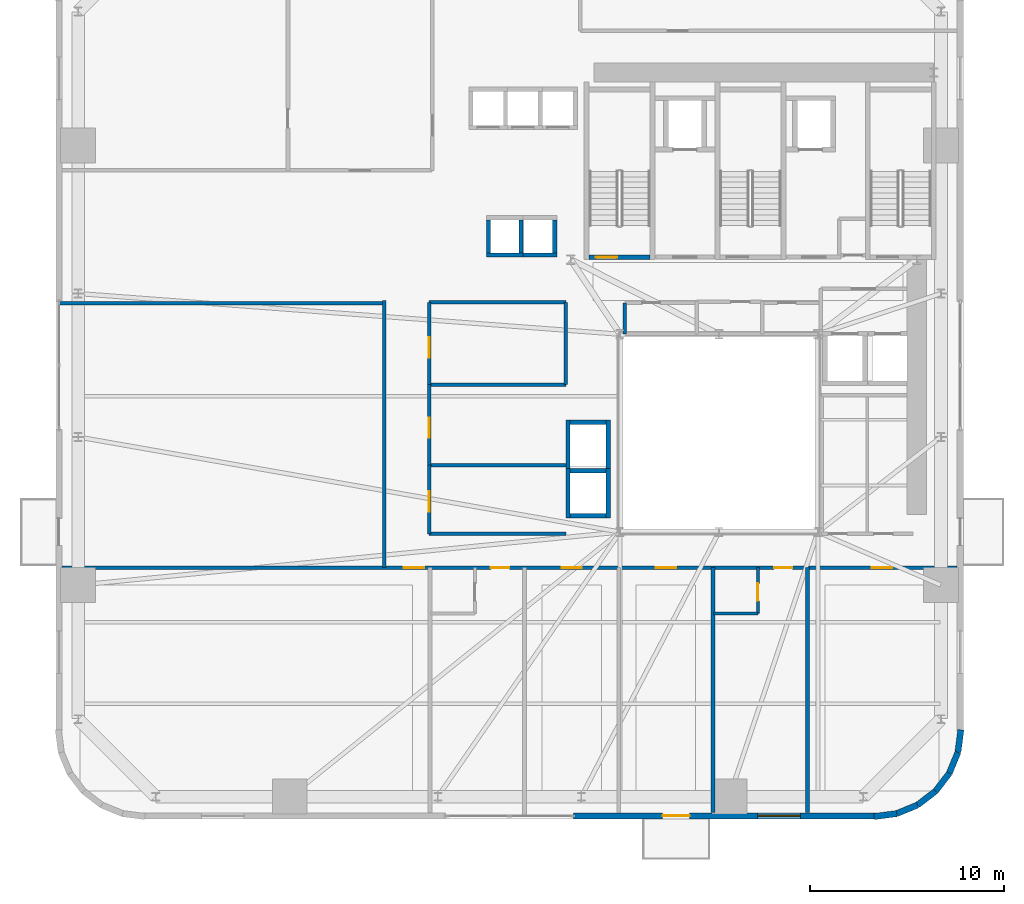
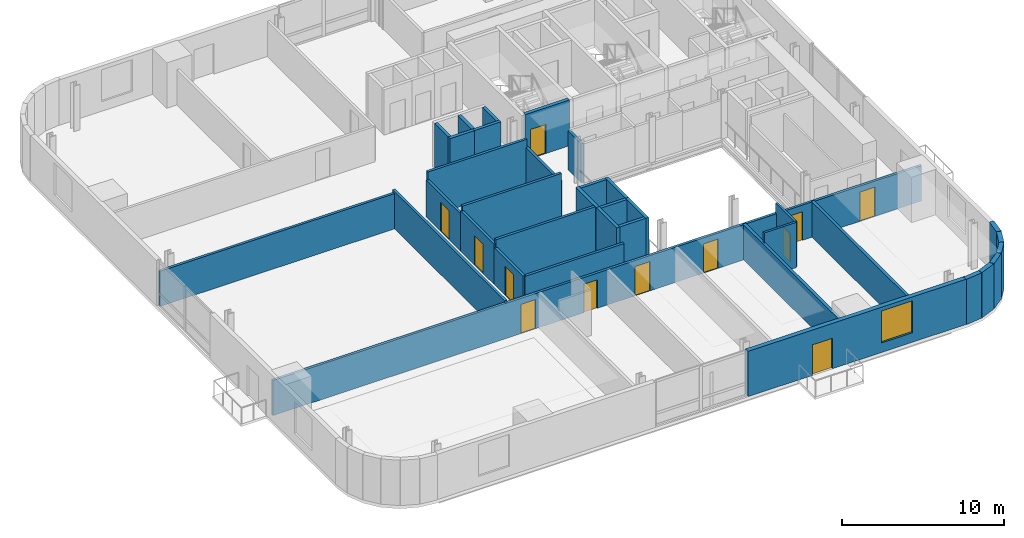
# One storey, part 6 of 13: 36 walls, 12 doors, 1 window, 13 openings.
"""IFC4 building model written with IfcOpenShell, lengths in metres."""

from ifc_helpers import new_model, si_unit, direction, frame, frame_2d, origin, place, context, subcontext, project, spatial, rectangle, extrude, source, transform, mapped, material, layer, layer_set, type_object, element, fill, save


model = new_model("IFC4")

# Units and contexts
model_context = context("Model", 3, precision=1e-05, world=origin(), true_north=direction((0.0, 1.0)))
body_context = subcontext(model_context, "Body", "Model", "MODEL_VIEW")
ifc_project = project(units=[si_unit("LENGTHUNIT", "METRE"), si_unit("AREAUNIT", "SQUARE_METRE"), si_unit("VOLUMEUNIT", "CUBIC_METRE"), si_unit("PLANEANGLEUNIT", "RADIAN"), si_unit("MASSUNIT", "GRAM", prefix="KILO")], contexts=[model_context])

# Site, building, storey
site_placement = place(None, origin())
site = spatial("IfcSite", under=ifc_project, at=site_placement, CompositionType="ELEMENT")
building_placement = place(site_placement, origin())
building = spatial("IfcBuilding", under=site, at=building_placement, Name="Vardaveli Station Tower", CompositionType="ELEMENT")
storey_placement = place(building_placement, frame((0.0, 0.0, 45.85009765625)))
storey = spatial("IfcBuildingStorey", under=building, at=storey_placement, Name="L11", CompositionType="ELEMENT", Elevation=45.85009765625)

# Wall, openings, door, window
ifc_material_1 = material(Name="Precast concrete C45/55", Category="concrete")
ifc_layer_1 = layer(ifc_material_1, 0.320068359375, Name="Precast concrete C45/55")
ifc_layer_set_1 = layer_set([ifc_layer_1], Name="Precast concrete C45/55")
wall_type_1 = type_object("IfcWallType", Name="WAL-EXT-STONE-320", PredefinedType="SOLIDWALL", material=ifc_layer_set_1)
shared_shape_1 = source(origin(), body_context, "Body", "SweptSolid", [
    extrude(rectangle(XDim=15.599853515625, YDim=0.320068359375, at=frame_2d((7.7998046875, 0.0))), origin(), (0.0, 0.0, 1.0), 3.409912109375),
])
wall_1_placement = place(storey_placement, frame((28.800048828125, 1.9599609375, 0.0), z_axis=(0.0, 0.0, 1.0), x_axis=(1.0, 0.0, 0.0)))
wall_1 = element("IfcWall", 1, at=wall_1_placement, inside=storey, type_object=wall_type_1, Name="EW-L11-S2", PredefinedType="SOLIDWALL", context=body_context, shape_type="MappedRepresentation", body=[
    mapped(shared_shape_1, transform((0.0, 0.0, 0.0), scale=1.0)),
])
shared_shape_2 = source(origin(), body_context, "Body", "SweptSolid", [
    extrude(rectangle(XDim=1.39990234375, YDim=2.300048828125, at=frame_2d((0.699951171875, 1.14990234375))), frame((0.0, 0.169921875, 0.0), z_axis=(0.0, -1.0, 0.0), x_axis=(1.0, 0.0, 0.0)), (0.0, 0.0, 1.0), 0.340087890625),
])
opening_1_placement = place(wall_1_placement, frame((4.589599609375, 0.0, 0.0)))
opening_1 = element("IfcOpeningElement", 2, at=opening_1_placement, cuts=wall_1, Name="Opening D-09", PredefinedType="OPENING", context=body_context, shape_type="MappedRepresentation", body=[
    mapped(shared_shape_2, transform((0.0, 0.0, 0.0), scale=1.0)),
])
shared_shape_3 = source(origin(), body_context, "Body", "SweptSolid", [
    extrude(rectangle(XDim=2.199951171875, YDim=2.39990234375, at=frame_2d((1.10009765625, 1.199951171875))), frame((0.0, 0.169921875, 0.0), z_axis=(0.0, -1.0, 0.0), x_axis=(1.0, 0.0, 0.0)), (0.0, 0.0, 1.0), 0.340087890625),
])
opening_2_placement = place(wall_1_placement, frame((9.4951171875, 0.0, 0.719970703125)))
opening_2 = element("IfcOpeningElement", 3, at=opening_2_placement, cuts=wall_1, Name="Opening W-03", PredefinedType="OPENING", context=body_context, shape_type="MappedRepresentation", body=[
    mapped(shared_shape_3, transform((0.0, 0.0, 0.0), scale=1.0)),
])
ifc_material_2 = material(Name="Thermally broken aluminium glass", Category="aluminium")
door_type_1 = type_object("IfcDoorType", Name="DR-LOG-1400x2300", OperationType="DOUBLE_DOOR_SLIDING", PredefinedType="DOOR", material=ifc_material_2)
shared_shape_4 = source(origin(), body_context, "Body", "SweptSolid", [
    extrude(rectangle(XDim=1.39990234375, YDim=2.300048828125, at=frame_2d((0.699951171875, 1.14990234375))), frame((0.0, 0.02490234375, 0.0), z_axis=(0.0, -1.0, 0.0), x_axis=(1.0, 0.0, 0.0)), (0.0, 0.0, 1.0), 0.050048828125),
])
door_1_placement = place(opening_1_placement, frame((1.39990234375, 0.0, 0.0), z_axis=(0.0, 0.0, 1.0), x_axis=(-1.0, 0.0, 0.0)))
door_1 = element("IfcDoor", 4, at=door_1_placement, inside=storey, type_object=door_type_1, Name="DLG-L11-S", OperationType="DOUBLE_DOOR_SLIDING", OverallHeight=2.300048828125, OverallWidth=1.39990234375, PredefinedType="DOOR", context=body_context, shape_type="MappedRepresentation", body=[
    mapped(shared_shape_4, transform((0.0, 0.0, 0.0), scale=1.0)),
])
fill(opening_1, door_1)
ifc_material_3 = material(Name="Low-E solar-control glass", Category="glass")
window_type = type_object("IfcWindowType", Name="WIN-LOG-2200x2400", PartitioningType="SINGLE_PANEL", PredefinedType="WINDOW", material=ifc_material_3)
shared_shape_5 = source(origin(), body_context, "Body", "SweptSolid", [
    extrude(rectangle(XDim=2.199951171875, YDim=2.39990234375, at=frame_2d((1.10009765625, 1.199951171875))), frame((0.0, 0.030029296875, 0.0), z_axis=(0.0, -1.0, 0.0), x_axis=(1.0, 0.0, 0.0)), (0.0, 0.0, 1.0), 0.06005859375),
])
window_placement = place(opening_2_placement, origin())
window = element("IfcWindow", 5, at=window_placement, inside=storey, type_object=window_type, Name="WN-L11-S2", OverallHeight=2.39990234375, OverallWidth=2.199951171875, PartitioningType="SINGLE_PANEL", PredefinedType="WINDOW", context=body_context, shape_type="MappedRepresentation", body=[
    mapped(shared_shape_5, transform((0.0, 0.0, 0.0), scale=1.0)),
])
fill(opening_2, window)

# Walls
shared_shape_6 = source(origin(), body_context, "Body", "SweptSolid", [
    extrude(rectangle(XDim=1.170654296875, YDim=0.320068359375, at=frame_2d((0.58544921875, 0.0))), origin(), (0.0, 0.0, 1.0), 3.409912109375),
])
wall_2_placement = place(storey_placement, frame((48.62548828125, 5.23974609375, 0.0), z_axis=(0.0, 0.0, 1.0), x_axis=(0.128269133229, 0.991739395941, 0.0)))
element("IfcWall", 6, at=wall_2_placement, inside=storey, type_object=wall_type_1, Name="EW-L11-CR2-6", PredefinedType="SOLIDWALL", context=body_context, shape_type="MappedRepresentation", body=[
    mapped(shared_shape_6, transform((0.0, 0.0, 0.0), scale=1.0)),
])
shared_shape_7 = source(origin(), body_context, "Body", "SweptSolid", [
    extrude(rectangle(XDim=1.1689453125, YDim=0.320068359375, at=frame_2d((0.58447265625, 0.0))), origin(), (0.0, 0.0, 1.0), 3.409912109375),
])
for number, where, z_axis, x_axis, name in (
    (7, (47.46875, 3.231201171875, 0.0), (0.0, 0.0, 1.0), (0.608387696831, 0.793639975269, 0.0), "EW-L11-CR2-4"),
    (8, (48.179931640625, 4.158935546875, 0.0), (0.0, 0.0, 1.0), (0.381127904695, 0.924522320046, 0.0), "EW-L11-CR2-5"),
):
    element("IfcWall", number, at=place(storey_placement, frame(where, z_axis=z_axis, x_axis=x_axis)), inside=storey, type_object=wall_type_1, Name=name, PredefinedType="SOLIDWALL", context=body_context, shape_type="MappedRepresentation", body=[
        mapped(shared_shape_7, transform((0.0, 0.0, 0.0), scale=1.0)),
    ])
shared_shape_8 = source(origin(), body_context, "Body", "SweptSolid", [
    extrude(rectangle(XDim=1.168701171875, YDim=0.320068359375, at=frame_2d((0.58447265625, 0.0))), origin(), (0.0, 0.0, 1.0), 3.409912109375),
])
wall_3_placement = place(storey_placement, frame((46.541259765625, 2.520263671875, 0.0), z_axis=(0.0, 0.0, 1.0), x_axis=(0.793663520347, 0.608356981114, 0.0)))
element("IfcWall", 9, at=wall_3_placement, inside=storey, type_object=wall_type_1, Name="EW-L11-CR2-3", PredefinedType="SOLIDWALL", context=body_context, shape_type="MappedRepresentation", body=[
    mapped(shared_shape_8, transform((0.0, 0.0, 0.0), scale=1.0)),
])
shared_shape_9 = source(origin(), body_context, "Body", "SweptSolid", [
    extrude(rectangle(XDim=1.16943359375, YDim=0.320068359375, at=frame_2d((0.584716796875, 0.0))), origin(), (0.0, 0.0, 1.0), 3.409912109375),
])
wall_4_placement = place(storey_placement, frame((45.460205078125, 2.074462890625, 0.0), z_axis=(0.0, 0.0, 1.0), x_axis=(0.924479075121, 0.381232789334, 0.0)))
element("IfcWall", 10, at=wall_4_placement, inside=storey, type_object=wall_type_1, Name="EW-L11-CR2-2", PredefinedType="SOLIDWALL", context=body_context, shape_type="MappedRepresentation", body=[
    mapped(shared_shape_9, transform((0.0, 0.0, 0.0), scale=1.0)),
])
shared_shape_10 = source(origin(), body_context, "Body", "SweptSolid", [
    extrude(rectangle(XDim=1.170166015625, YDim=0.320068359375, at=frame_2d((0.5849609375, 0.0))), origin(), (0.0, 0.0, 1.0), 3.409912109375),
])
wall_5_placement = place(storey_placement, frame((44.299560546875, 1.924560546875, 0.0), z_axis=(0.0, 0.0, 1.0), x_axis=(0.991762485493, 0.128090485085, 0.0)))
element("IfcWall", 11, at=wall_5_placement, inside=storey, type_object=wall_type_1, Name="EW-L11-CR2-1", PredefinedType="SOLIDWALL", context=body_context, shape_type="MappedRepresentation", body=[
    mapped(shared_shape_10, transform((0.0, 0.0, 0.0), scale=1.0)),
])

# Wall, opening, door
ifc_material_4 = material(Name="Concrete C40/50", Category="concrete")
ifc_layer_2 = layer(ifc_material_4, 0.25, Name="Concrete C40/50")
ifc_layer_set_2 = layer_set([ifc_layer_2], Name="Concrete C40/50")
wall_type_2 = type_object("IfcWallType", Name="WAL-SHAFT-250", PredefinedType="SOLIDWALL", material=ifc_layer_set_2)
shared_shape_11 = source(origin(), body_context, "Body", "SweptSolid", [
    extrude(rectangle(XDim=3.14990234375, YDim=0.25, at=frame_2d((1.574951171875, 0.0))), origin(), (0.0, 0.0, 1.0), 3.449951171875),
])
wall_6_placement = place(storey_placement, frame((29.60009765625, 30.77490234375, 0.0), z_axis=(0.0, 0.0, 1.0), x_axis=(1.0, 0.0, 0.0)))
wall_6 = element("IfcWall", 12, at=wall_6_placement, inside=storey, type_object=wall_type_2, Name="W-L11-ST-1S", PredefinedType="SOLIDWALL", context=body_context, shape_type="MappedRepresentation", body=[
    mapped(shared_shape_11, transform((0.0, 0.0, 0.0), scale=1.0)),
])
shared_shape_12 = source(origin(), body_context, "Body", "SweptSolid", [
    extrude(rectangle(XDim=1.10009765625, YDim=2.199951171875, at=frame_2d((0.550048828125, 1.10009765625))), frame((0.0, 0.135009765625, 0.0), z_axis=(0.0, -1.0, 0.0), x_axis=(1.0, 0.0, 0.0)), (0.0, 0.0, 1.0), 0.27001953125),
])
opening_3_placement = place(wall_6_placement, frame((0.35009765625, 0.0, 0.0)))
opening_3 = element("IfcOpeningElement", 13, at=opening_3_placement, cuts=wall_6, Name="Opening D-04", PredefinedType="OPENING", context=body_context, shape_type="MappedRepresentation", body=[
    mapped(shared_shape_12, transform((0.0, 0.0, 0.0), scale=1.0)),
])
ifc_material_5 = material(Name="Steel smokeproof fire doorset", Category="steel")
door_type_2 = type_object("IfcDoorType", Name="DR-ST-1100x2200", OperationType="NOTDEFINED", PredefinedType="DOOR", material=ifc_material_5)
shared_shape_13 = source(origin(), body_context, "Body", "SweptSolid", [
    extrude(rectangle(XDim=1.10009765625, YDim=2.199951171875, at=frame_2d((0.550048828125, 1.10009765625))), frame((0.0, 0.02490234375, 0.0), z_axis=(0.0, -1.0, 0.0), x_axis=(1.0, 0.0, 0.0)), (0.0, 0.0, 1.0), 0.050048828125),
])
door_2_placement = place(opening_3_placement, origin())
door_2 = element("IfcDoor", 14, at=door_2_placement, inside=storey, type_object=door_type_2, Name="DST-1-L11", OperationType="SINGLE_SWING_LEFT", OverallHeight=2.199951171875, OverallWidth=1.10009765625, PredefinedType="DOOR", context=body_context, shape_type="MappedRepresentation", body=[
    mapped(shared_shape_13, transform((0.0, 0.0, 0.0), scale=1.0)),
])
fill(opening_3, door_2)

# Walls
ifc_layer_3 = layer(ifc_material_4, 0.219970703125, Name="Concrete C40/50")
ifc_layer_set_3 = layer_set([ifc_layer_3], Name="Concrete C40/50")
wall_type_3 = type_object("IfcWallType", Name="WAL-FFLOBBY-220", PredefinedType="SOLIDWALL", material=ifc_layer_set_3)
shared_shape_14 = source(origin(), body_context, "Body", "SweptSolid", [
    extrude(rectangle(XDim=1.89013671875, YDim=0.219970703125, at=frame_2d((0.945068359375, 0.0))), origin(), (0.0, 0.0, 1.0), 3.409912109375),
])
for number, where, z_axis, x_axis, name in (
    (15, (24.304931640625, 30.889892578125, 0.0), (0.0, 0.0, 1.0), (1.0, 0.0, 0.0), "SHW-SHU-01-L11-S"),
    (16, (26.054931640625, 30.889892578125, 0.0), (0.0, 0.0, 1.0), (1.0, 0.0, 0.0), "SHW-SHU-02-L11-S"),
):
    element("IfcWall", number, at=place(storey_placement, frame(where, z_axis=z_axis, x_axis=x_axis)), inside=storey, type_object=wall_type_3, Name=name, PredefinedType="SOLIDWALL", context=body_context, shape_type="MappedRepresentation", body=[
        mapped(shared_shape_14, transform((0.0, 0.0, 0.0), scale=1.0)),
    ])
shared_shape_15 = source(origin(), body_context, "Body", "SweptSolid", [
    extrude(rectangle(XDim=1.699951171875, YDim=0.219970703125, at=frame_2d((0.85009765625, 0.0))), origin(), (0.0, 0.0, 1.0), 3.409912109375),
])
for number, where, z_axis, x_axis, name in (
    (17, (24.4150390625, 31.0, 0.0), (0.0, 0.0, 1.0), (0.0, 1.0, 0.0), "SHW-SHU-01-L11-W"),
    (18, (26.0849609375, 31.0, 0.0), (0.0, 0.0, 1.0), (0.0, 1.0, 0.0), "SHW-SHU-01-L11-E"),
    (19, (27.8349609375, 31.0, 0.0), (0.0, 0.0, 1.0), (0.0, 1.0, 0.0), "SHW-SHU-02-L11-E"),
):
    element("IfcWall", number, at=place(storey_placement, frame(where, z_axis=z_axis, x_axis=x_axis)), inside=storey, type_object=wall_type_3, Name=name, PredefinedType="SOLIDWALL", context=body_context, shape_type="MappedRepresentation", body=[
        mapped(shared_shape_15, transform((0.0, 0.0, 0.0), scale=1.0)),
    ])
shared_shape_16 = source(origin(), body_context, "Body", "SweptSolid", [
    extrude(rectangle(XDim=1.85009765625, YDim=0.219970703125, at=frame_2d((0.925048828125, 0.0))), origin(), (0.0, 0.0, 1.0), 3.409912109375),
])
for number, where, z_axis, x_axis, name in (
    (20, (28.625, 17.43994140625, 0.0), (0.0, 0.0, 1.0), (1.0, 0.0, 0.0), "SHW-OBS-01-L11-S"),
    (21, (28.625, 19.760009765625, 0.0), (0.0, 0.0, 1.0), (1.0, 0.0, 0.0), "SHW-OBS-01-L11-N"),
    (22, (28.625, 22.260009765625, 0.0), (0.0, 0.0, 1.0), (1.0, 0.0, 0.0), "SHW-OBS-02-L11-N"),
):
    element("IfcWall", number, at=place(storey_placement, frame(where, z_axis=z_axis, x_axis=x_axis)), inside=storey, type_object=wall_type_3, Name=name, PredefinedType="SOLIDWALL", context=body_context, shape_type="MappedRepresentation", body=[
        mapped(shared_shape_16, transform((0.0, 0.0, 0.0), scale=1.0)),
    ])
shared_shape_17 = source(origin(), body_context, "Body", "SweptSolid", [
    extrude(rectangle(XDim=2.5400390625, YDim=0.219970703125, at=frame_2d((1.27001953125, 0.0))), origin(), (0.0, 0.0, 1.0), 3.409912109375),
])
for number, where, z_axis, x_axis, name in (
    (23, (28.514892578125, 17.330078125, 0.0), (0.0, 0.0, 1.0), (0.0, 1.0, 0.0), "SHW-OBS-01-L11-W"),
    (24, (30.5849609375, 17.330078125, 0.0), (0.0, 0.0, 1.0), (0.0, 1.0, 0.0), "SHW-OBS-01-L11-E"),
    (25, (28.514892578125, 19.830078125, 0.0), (0.0, 0.0, 1.0), (0.0, 1.0, 0.0), "SHW-OBS-02-L11-W"),
    (26, (30.5849609375, 19.830078125, 0.0), (0.0, 0.0, 1.0), (0.0, 1.0, 0.0), "SHW-OBS-02-L11-E"),
):
    element("IfcWall", number, at=place(storey_placement, frame(where, z_axis=z_axis, x_axis=x_axis)), inside=storey, type_object=wall_type_3, Name=name, PredefinedType="SOLIDWALL", context=body_context, shape_type="MappedRepresentation", body=[
        mapped(shared_shape_17, transform((0.0, 0.0, 0.0), scale=1.0)),
    ])

# Wall, openings, doors
ifc_material_6 = material(Name="Fire-rated gypsum stud partition")
ifc_layer_4 = layer(ifc_material_6, 0.179931640625, Name="Fire-rated gypsum stud partition")
ifc_layer_set_4 = layer_set([ifc_layer_4], Name="Fire-rated gypsum stud partition")
wall_type_4 = type_object("IfcWallType", Name="WAL-CORR-180", PredefinedType="PARTITIONING", material=ifc_layer_set_4)
shared_shape_18 = source(origin(), body_context, "Body", "SweptSolid", [
    extrude(rectangle(XDim=46.15576171875, YDim=0.179931640625, at=frame_2d((23.077880859375, 0.0))), origin(), (0.0, 0.0, 1.0), 2.65185546875),
])
wall_7_placement = place(storey_placement, frame((2.422119140625, 14.760009765625, 0.0), z_axis=(0.0, 0.0, 1.0), x_axis=(1.0, 0.0, 0.0)))
wall_7 = element("IfcWall", 27, at=wall_7_placement, inside=storey, type_object=wall_type_4, Name="W-L11-CS", PredefinedType="PARTITIONING", context=body_context, shape_type="MappedRepresentation", body=[
    mapped(shared_shape_18, transform((0.0, 0.0, 0.0), scale=1.0)),
])
shared_shape_19 = source(origin(), body_context, "Body", "SweptSolid", [
    extrude(rectangle(XDim=1.050048828125, YDim=2.199951171875, at=frame_2d((0.52490234375, 1.10009765625))), frame((0.0, 0.10009765625, 0.0), z_axis=(0.0, -1.0, 0.0), x_axis=(1.0, 0.0, 0.0)), (0.0, 0.0, 1.0), 0.199951171875),
])
opening_4_placement = place(wall_7_placement, frame((17.6279296875, 0.0, 0.0)))
opening_4 = element("IfcOpeningElement", 28, at=opening_4_placement, cuts=wall_7, Name="Opening D-05", PredefinedType="OPENING", context=body_context, shape_type="MappedRepresentation", body=[
    mapped(shared_shape_19, transform((0.0, 0.0, 0.0), scale=1.0)),
])
shared_shape_20 = source(origin(), body_context, "Body", "SweptSolid", [
    extrude(rectangle(XDim=0.949951171875, YDim=2.14990234375, at=frame_2d((0.47509765625, 1.074951171875))), frame((0.0, 0.10009765625, 0.0), z_axis=(0.0, -1.0, 0.0), x_axis=(1.0, 0.0, 0.0)), (0.0, 0.0, 1.0), 0.199951171875),
])
opening_5_placement = place(wall_7_placement, frame((22.1162109375, 0.0, 0.0)))
opening_5 = element("IfcOpeningElement", 29, at=opening_5_placement, cuts=wall_7, Name="Opening D-06", PredefinedType="OPENING", context=body_context, shape_type="MappedRepresentation", body=[
    mapped(shared_shape_20, transform((0.0, 0.0, 0.0), scale=1.0)),
])
opening_6_placement = place(wall_7_placement, frame((25.758056640625, 0.0, 0.0)))
opening_6 = element("IfcOpeningElement", 30, at=opening_6_placement, cuts=wall_7, Name="Opening D-05", PredefinedType="OPENING", context=body_context, shape_type="MappedRepresentation", body=[
    mapped(shared_shape_19, transform((0.0, 0.0, 0.0), scale=1.0)),
])
opening_7_placement = place(wall_7_placement, frame((30.62451171875, 0.0, 0.0)))
opening_7 = element("IfcOpeningElement", 31, at=opening_7_placement, cuts=wall_7, Name="Opening D-05", PredefinedType="OPENING", context=body_context, shape_type="MappedRepresentation", body=[
    mapped(shared_shape_19, transform((0.0, 0.0, 0.0), scale=1.0)),
])
opening_8_placement = place(wall_7_placement, frame((36.71630859375, 0.0, 0.0)))
opening_8 = element("IfcOpeningElement", 32, at=opening_8_placement, cuts=wall_7, Name="Opening D-06", PredefinedType="OPENING", context=body_context, shape_type="MappedRepresentation", body=[
    mapped(shared_shape_20, transform((0.0, 0.0, 0.0), scale=1.0)),
])
opening_9_placement = place(wall_7_placement, frame((41.766357421875, 0.0, 0.0)))
opening_9 = element("IfcOpeningElement", 33, at=opening_9_placement, cuts=wall_7, Name="Opening D-05", PredefinedType="OPENING", context=body_context, shape_type="MappedRepresentation", body=[
    mapped(shared_shape_19, transform((0.0, 0.0, 0.0), scale=1.0)),
])
ifc_material_7 = material(Name="Walnut veneer acoustic fire door")
door_type_3 = type_object("IfcDoorType", Name="DR-SUITE-1050x2200", OperationType="NOTDEFINED", PredefinedType="DOOR", material=ifc_material_7)
shared_shape_21 = source(origin(), body_context, "Body", "SweptSolid", [
    extrude(rectangle(XDim=1.050048828125, YDim=2.199951171875, at=frame_2d((0.52490234375, 1.10009765625))), frame((0.0, 0.02490234375, 0.0), z_axis=(0.0, -1.0, 0.0), x_axis=(1.0, 0.0, 0.0)), (0.0, 0.0, 1.0), 0.050048828125),
])
door_3_placement = place(opening_4_placement, origin())
door_3 = element("IfcDoor", 34, at=door_3_placement, inside=storey, type_object=door_type_3, Name="D-L11-SA1", OperationType="SINGLE_SWING_RIGHT", OverallHeight=2.199951171875, OverallWidth=1.050048828125, PredefinedType="DOOR", context=body_context, shape_type="MappedRepresentation", body=[
    mapped(shared_shape_21, transform((0.0, 0.0, 0.0), scale=1.0)),
])
fill(opening_4, door_3)
door_4_placement = place(opening_6_placement, origin())
door_4 = element("IfcDoor", 35, at=door_4_placement, inside=storey, type_object=door_type_3, Name="D-L11-SA3", OperationType="SINGLE_SWING_RIGHT", OverallHeight=2.199951171875, OverallWidth=1.050048828125, PredefinedType="DOOR", context=body_context, shape_type="MappedRepresentation", body=[
    mapped(shared_shape_21, transform((0.0, 0.0, 0.0), scale=1.0)),
])
fill(opening_6, door_4)
door_5_placement = place(opening_7_placement, origin())
door_5 = element("IfcDoor", 36, at=door_5_placement, inside=storey, type_object=door_type_3, Name="D-L11-SA4", OperationType="SINGLE_SWING_LEFT", OverallHeight=2.199951171875, OverallWidth=1.050048828125, PredefinedType="DOOR", context=body_context, shape_type="MappedRepresentation", body=[
    mapped(shared_shape_21, transform((0.0, 0.0, 0.0), scale=1.0)),
])
fill(opening_7, door_5)
door_6_placement = place(opening_9_placement, origin())
door_6 = element("IfcDoor", 37, at=door_6_placement, inside=storey, type_object=door_type_3, Name="D-L11-SA6", OperationType="SINGLE_SWING_LEFT", OverallHeight=2.199951171875, OverallWidth=1.050048828125, PredefinedType="DOOR", context=body_context, shape_type="MappedRepresentation", body=[
    mapped(shared_shape_21, transform((0.0, 0.0, 0.0), scale=1.0)),
])
fill(opening_9, door_6)
ifc_material_8 = material(Name="Oak veneer acoustic fire door")
door_type_4 = type_object("IfcDoorType", Name="DR-GUEST-950x2150", OperationType="NOTDEFINED", PredefinedType="DOOR", material=ifc_material_8)
shared_shape_22 = source(origin(), body_context, "Body", "SweptSolid", [
    extrude(rectangle(XDim=0.949951171875, YDim=2.14990234375, at=frame_2d((0.47509765625, 1.074951171875))), frame((0.0, 0.02490234375, 0.0), z_axis=(0.0, -1.0, 0.0), x_axis=(1.0, 0.0, 0.0)), (0.0, 0.0, 1.0), 0.050048828125),
])
door_7_placement = place(opening_5_placement, origin())
door_7 = element("IfcDoor", 38, at=door_7_placement, inside=storey, type_object=door_type_4, Name="D-L11-GS2", OperationType="SINGLE_SWING_LEFT", OverallHeight=2.14990234375, OverallWidth=0.949951171875, PredefinedType="DOOR", context=body_context, shape_type="MappedRepresentation", body=[
    mapped(shared_shape_22, transform((0.0, 0.0, 0.0), scale=1.0)),
])
fill(opening_5, door_7)
door_8_placement = place(opening_8_placement, origin())
door_8 = element("IfcDoor", 39, at=door_8_placement, inside=storey, type_object=door_type_4, Name="D-L11-GS5", OperationType="SINGLE_SWING_RIGHT", OverallHeight=2.14990234375, OverallWidth=0.949951171875, PredefinedType="DOOR", context=body_context, shape_type="MappedRepresentation", body=[
    mapped(shared_shape_22, transform((0.0, 0.0, 0.0), scale=1.0)),
])
fill(opening_8, door_8)

# Wall, opening, door
ifc_material_9 = material(Name="Moisture-resistant stud partition")
ifc_layer_5 = layer(ifc_material_9, 0.14990234375, Name="Moisture-resistant stud partition")
ifc_layer_set_5 = layer_set([ifc_layer_5], Name="Moisture-resistant stud partition")
wall_type_5 = type_object("IfcWallType", Name="WAL-WET-150", PredefinedType="PARTITIONING", material=ifc_layer_set_5)
shared_shape_23 = source(origin(), body_context, "Body", "SweptSolid", [
    extrude(rectangle(XDim=2.360107421875, YDim=0.14990234375, at=frame_2d((1.18017578125, 0.0))), origin(), (0.0, 0.0, 1.0), 3.409912109375),
])
wall_8_placement = place(storey_placement, frame((38.31005859375, 12.39990234375, 0.0), z_axis=(0.0, 0.0, 1.0), x_axis=(0.0, 1.0, 0.0)))
wall_8 = element("IfcWall", 40, at=wall_8_placement, inside=storey, type_object=wall_type_5, Name="W-L11-BS5-E", PredefinedType="PARTITIONING", context=body_context, shape_type="MappedRepresentation", body=[
    mapped(shared_shape_23, transform((0.0, 0.0, 0.0), scale=1.0)),
])
shared_shape_24 = source(origin(), body_context, "Body", "SweptSolid", [
    extrude(rectangle(XDim=0.89990234375, YDim=2.10009765625, at=frame_2d((0.449951171875, 1.050048828125))), frame((0.0, 0.0849609375, 0.0), z_axis=(0.0, -1.0, 0.0), x_axis=(1.0, 0.0, 0.0)), (0.0, 0.0, 1.0), 0.169921875),
])
opening_10_placement = place(wall_8_placement, frame((0.64990234375, 0.0, 0.0)))
opening_10 = element("IfcOpeningElement", 41, at=opening_10_placement, cuts=wall_8, Name="Opening D-08", PredefinedType="OPENING", context=body_context, shape_type="MappedRepresentation", body=[
    mapped(shared_shape_24, transform((0.0, 0.0, 0.0), scale=1.0)),
])
ifc_material_10 = material(Name="Moisture-resistant oak door")
door_type_5 = type_object("IfcDoorType", Name="DR-BATH-900x2100", OperationType="NOTDEFINED", PredefinedType="DOOR", material=ifc_material_10)
shared_shape_25 = source(origin(), body_context, "Body", "SweptSolid", [
    extrude(rectangle(XDim=0.89990234375, YDim=2.10009765625, at=frame_2d((0.449951171875, 1.050048828125))), frame((0.0, 0.02490234375, 0.0), z_axis=(0.0, -1.0, 0.0), x_axis=(1.0, 0.0, 0.0)), (0.0, 0.0, 1.0), 0.050048828125),
])
door_9_placement = place(opening_10_placement, origin())
door_9 = element("IfcDoor", 42, at=door_9_placement, inside=storey, type_object=door_type_5, Name="D-L11-BS5", OperationType="SINGLE_SWING_LEFT", OverallHeight=2.10009765625, OverallWidth=0.89990234375, PredefinedType="DOOR", context=body_context, shape_type="MappedRepresentation", body=[
    mapped(shared_shape_25, transform((0.0, 0.0, 0.0), scale=1.0)),
])
fill(opening_10, door_9)

# Wall
shared_shape_26 = source(origin(), body_context, "Body", "SweptSolid", [
    extrude(rectangle(XDim=1.599853515625, YDim=0.179931640625, at=frame_2d((0.7998046875, 0.0))), origin(), (0.0, 0.0, 1.0), 2.951904296875),
])
wall_9_placement = place(storey_placement, frame((31.449951171875, 26.820068359375, 0.0), z_axis=(0.0, 0.0, 1.0), x_axis=(0.0, 1.0, 0.0)))
element("IfcWall", 43, at=wall_9_placement, inside=storey, type_object=wall_type_4, Name="W-L11-CS2A-W", PredefinedType="PARTITIONING", context=body_context, shape_type="MappedRepresentation", body=[
    mapped(shared_shape_26, transform((0.0, 0.0, 0.0), scale=1.0)),
])

# Wall, opening, door
shared_shape_27 = source(origin(), body_context, "Body", "SweptSolid", [
    extrude(rectangle(XDim=4.239990234375, YDim=0.179931640625, at=frame_2d((2.1201171875, 0.0))), origin(), (0.0, 0.0, 1.0), 2.802001953125),
])
wall_10_placement = place(storey_placement, frame((21.35009765625, 24.199951171875, 0.0), z_axis=(0.0, 0.0, 1.0), x_axis=(0.0, 1.0, 0.0)))
wall_10 = element("IfcWall", 44, at=wall_10_placement, inside=storey, type_object=wall_type_4, Name="W-L11-ATWC-W", PredefinedType="PARTITIONING", context=body_context, shape_type="MappedRepresentation", body=[
    mapped(shared_shape_27, transform((0.0, 0.0, 0.0), scale=1.0)),
])
opening_11_placement = place(wall_10_placement, frame((1.39990234375, 0.0, 0.0)))
opening_11 = element("IfcOpeningElement", 45, at=opening_11_placement, cuts=wall_10, Name="Opening D-05", PredefinedType="OPENING", context=body_context, shape_type="MappedRepresentation", body=[
    mapped(shared_shape_19, transform((0.0, 0.0, 0.0), scale=1.0)),
])
door_10_placement = place(opening_11_placement, origin())
door_10 = element("IfcDoor", 46, at=door_10_placement, inside=storey, type_object=door_type_3, Name="D-L11-ATW3", OperationType="SINGLE_SWING_LEFT", OverallHeight=2.199951171875, OverallWidth=1.050048828125, PredefinedType="DOOR", context=body_context, shape_type="MappedRepresentation", body=[
    mapped(shared_shape_21, transform((0.0, 0.0, 0.0), scale=1.0)),
])
fill(opening_11, door_10)

# Wall
wall_11_placement = place(storey_placement, frame((28.39990234375, 24.199951171875, 0.0), z_axis=(0.0, 0.0, 1.0), x_axis=(0.0, 1.0, 0.0)))
element("IfcWall", 47, at=wall_11_placement, inside=storey, type_object=wall_type_4, Name="W-L11-ATWC-E", PredefinedType="PARTITIONING", context=body_context, shape_type="MappedRepresentation", body=[
    mapped(shared_shape_27, transform((0.0, 0.0, 0.0), scale=1.0)),
])

# Wall, opening, door
shared_shape_28 = source(origin(), body_context, "Body", "SweptSolid", [
    extrude(rectangle(XDim=4.14990234375, YDim=0.179931640625, at=frame_2d((2.074951171875, 0.0))), origin(), (0.0, 0.0, 1.0), 3.0419921875),
])
wall_12_placement = place(storey_placement, frame((21.35009765625, 20.050048828125, 0.0), z_axis=(0.0, 0.0, 1.0), x_axis=(0.0, 1.0, 0.0)))
wall_12 = element("IfcWall", 48, at=wall_12_placement, inside=storey, type_object=wall_type_4, Name="W-L11-ATWB-W", PredefinedType="PARTITIONING", context=body_context, shape_type="MappedRepresentation", body=[
    mapped(shared_shape_28, transform((0.0, 0.0, 0.0), scale=1.0)),
])
opening_12_placement = place(wall_12_placement, frame((1.39990234375, 0.0, 0.0)))
opening_12 = element("IfcOpeningElement", 49, at=opening_12_placement, cuts=wall_12, Name="Opening D-05", PredefinedType="OPENING", context=body_context, shape_type="MappedRepresentation", body=[
    mapped(shared_shape_19, transform((0.0, 0.0, 0.0), scale=1.0)),
])
door_11_placement = place(opening_12_placement, origin())
door_11 = element("IfcDoor", 50, at=door_11_placement, inside=storey, type_object=door_type_3, Name="D-L11-ATW2", OperationType="SINGLE_SWING_RIGHT", OverallHeight=2.199951171875, OverallWidth=1.050048828125, PredefinedType="DOOR", context=body_context, shape_type="MappedRepresentation", body=[
    mapped(shared_shape_21, transform((0.0, 0.0, 0.0), scale=1.0)),
])
fill(opening_12, door_11)

shared_shape_29 = source(origin(), body_context, "Body", "SweptSolid", [
    extrude(rectangle(XDim=3.550048828125, YDim=0.179931640625, at=frame_2d((1.77490234375, 0.0))), origin(), (0.0, 0.0, 1.0), 2.802001953125),
])
wall_13_placement = place(storey_placement, frame((21.35009765625, 16.5, 0.0), z_axis=(0.0, 0.0, 1.0), x_axis=(0.0, 1.0, 0.0)))
wall_13 = element("IfcWall", 51, at=wall_13_placement, inside=storey, type_object=wall_type_4, Name="W-L11-ATWA-W", PredefinedType="PARTITIONING", context=body_context, shape_type="MappedRepresentation", body=[
    mapped(shared_shape_29, transform((0.0, 0.0, 0.0), scale=1.0)),
])
opening_13_placement = place(wall_13_placement, frame((1.14990234375, 0.0, 0.0)))
opening_13 = element("IfcOpeningElement", 52, at=opening_13_placement, cuts=wall_13, Name="Opening D-05", PredefinedType="OPENING", context=body_context, shape_type="MappedRepresentation", body=[
    mapped(shared_shape_19, transform((0.0, 0.0, 0.0), scale=1.0)),
])
door_12_placement = place(opening_13_placement, origin())
door_12 = element("IfcDoor", 53, at=door_12_placement, inside=storey, type_object=door_type_3, Name="D-L11-ATW1", OperationType="SINGLE_SWING_RIGHT", OverallHeight=2.199951171875, OverallWidth=1.050048828125, PredefinedType="DOOR", context=body_context, shape_type="MappedRepresentation", body=[
    mapped(shared_shape_21, transform((0.0, 0.0, 0.0), scale=1.0)),
])
fill(opening_13, door_12)

# Walls
shared_shape_30 = source(origin(), body_context, "Body", "SweptSolid", [
    extrude(rectangle(XDim=2.2900390625, YDim=0.14990234375, at=frame_2d((1.14501953125, 0.0))), origin(), (0.0, 0.0, 1.0), 3.409912109375),
])
wall_14_placement = place(storey_placement, frame((36.02001953125, 12.39990234375, 0.0), z_axis=(0.0, 0.0, 1.0), x_axis=(1.0, 0.0, 0.0)))
element("IfcWall", 54, at=wall_14_placement, inside=storey, type_object=wall_type_5, Name="W-L11-BS5-S", PredefinedType="PARTITIONING", context=body_context, shape_type="MappedRepresentation", body=[
    mapped(shared_shape_30, transform((0.0, 0.0, 0.0), scale=1.0)),
])
shared_shape_31 = source(origin(), body_context, "Body", "SweptSolid", [
    extrude(rectangle(XDim=16.800048828125, YDim=0.179931640625, at=frame_2d((8.39990234375, 0.0))), origin(), (0.0, 0.0, 1.0), 2.65185546875),
])
wall_15_placement = place(storey_placement, frame((2.22998046875, 28.39990234375, 0.0), z_axis=(0.0, 0.0, 1.0), x_axis=(1.0, 0.0, 0.0)))
element("IfcWall", 55, at=wall_15_placement, inside=storey, type_object=wall_type_4, Name="W-L11-CWN", PredefinedType="PARTITIONING", context=body_context, shape_type="MappedRepresentation", body=[
    mapped(shared_shape_31, transform((0.0, 0.0, 0.0), scale=1.0)),
])
shared_shape_32 = source(origin(), body_context, "Body", "SweptSolid", [
    extrude(rectangle(XDim=13.7900390625, YDim=0.179931640625, at=frame_2d((6.89501953125, 0.0))), origin(), (0.0, 0.0, 1.0), 2.802001953125),
])
wall_16_placement = place(storey_placement, frame((19.030029296875, 14.760009765625, 0.0), z_axis=(0.0, 0.0, 1.0), x_axis=(0.0, 1.0, 0.0)))
element("IfcWall", 56, at=wall_16_placement, inside=storey, type_object=wall_type_4, Name="W-L11-CW", PredefinedType="PARTITIONING", context=body_context, shape_type="MappedRepresentation", body=[
    mapped(shared_shape_32, transform((0.0, 0.0, 0.0), scale=1.0)),
])
ifc_material_11 = material(Name="Acoustic twin-stud gypsum partition")
ifc_layer_6 = layer(ifc_material_11, 0.199951171875, Name="Acoustic twin-stud gypsum partition")
ifc_layer_set_6 = layer_set([ifc_layer_6], Name="Acoustic twin-stud gypsum partition")
wall_type_6 = type_object("IfcWallType", Name="WAL-PARTY-200", PredefinedType="PARTITIONING", material=ifc_layer_set_6)
shared_shape_33 = source(origin(), body_context, "Body", "SweptSolid", [
    extrude(rectangle(XDim=12.637939453125, YDim=0.199951171875, at=frame_2d((6.31884765625, 0.0))), origin(), (0.0, 0.0, 1.0), 2.65185546875),
])
for number, where, z_axis, x_axis, name in (
    (57, (36.0, 2.1220703125, 0.0), (0.0, 0.0, 1.0), (0.0, 1.0, 0.0), "W-L11-PS4"),
    (58, (40.866943359375, 2.1220703125, 0.0), (0.0, 0.0, 1.0), (0.0, 1.0, 0.0), "W-L11-PS5"),
):
    element("IfcWall", number, at=place(storey_placement, frame(where, z_axis=z_axis, x_axis=x_axis)), inside=storey, type_object=wall_type_6, Name=name, PredefinedType="PARTITIONING", context=body_context, shape_type="MappedRepresentation", body=[
        mapped(shared_shape_33, transform((0.0, 0.0, 0.0), scale=1.0)),
    ])
shared_shape_34 = source(origin(), body_context, "Body", "SweptSolid", [
    extrude(rectangle(XDim=7.0498046875, YDim=0.179931640625, at=frame_2d((3.52490234375, 0.0))), origin(), (0.0, 0.0, 1.0), 2.802001953125),
])
wall_17_placement = place(storey_placement, frame((21.35009765625, 16.5, 0.0), z_axis=(0.0, 0.0, 1.0), x_axis=(1.0, 0.0, 0.0)))
element("IfcWall", 59, at=wall_17_placement, inside=storey, type_object=wall_type_4, Name="W-L11-ATWA-S", PredefinedType="PARTITIONING", context=body_context, shape_type="MappedRepresentation", body=[
    mapped(shared_shape_34, transform((0.0, 0.0, 0.0), scale=1.0)),
])
shared_shape_35 = source(origin(), body_context, "Body", "SweptSolid", [
    extrude(rectangle(XDim=7.0498046875, YDim=0.179931640625, at=frame_2d((3.52490234375, 0.0))), origin(), (0.0, 0.0, 1.0), 3.409912109375),
])
for number, where, z_axis, x_axis, name in (
    (60, (21.35009765625, 20.050048828125, 0.0), (0.0, 0.0, 1.0), (1.0, 0.0, 0.0), "W-L11-ATWA-N"),
    (61, (21.35009765625, 24.199951171875, 0.0), (0.0, 0.0, 1.0), (1.0, 0.0, 0.0), "W-L11-ATWB-N"),
    (62, (21.35009765625, 28.43994140625, 0.0), (0.0, 0.0, 1.0), (1.0, 0.0, 0.0), "W-L11-ATWC-N"),
):
    element("IfcWall", number, at=place(storey_placement, frame(where, z_axis=z_axis, x_axis=x_axis)), inside=storey, type_object=wall_type_4, Name=name, PredefinedType="PARTITIONING", context=body_context, shape_type="MappedRepresentation", body=[
        mapped(shared_shape_35, transform((0.0, 0.0, 0.0), scale=1.0)),
    ])

save(model, "model.ifc")
